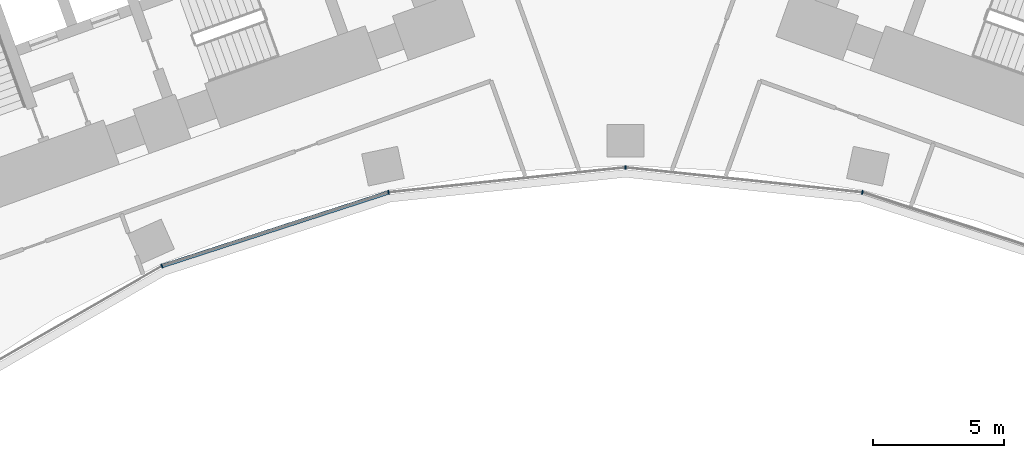
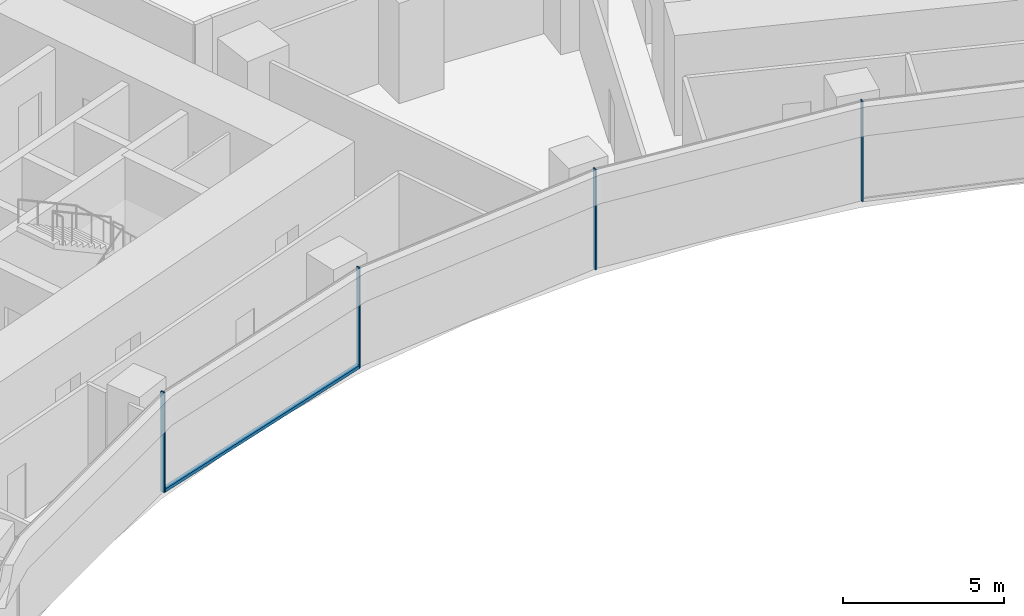
# One storey, part 5 of 21: 5 members, 1 element without a shape of its own.
"""IFC4 building model written with IfcOpenShell, lengths in metres."""

from ifc_helpers import new_model, si_unit, direction, frame, origin, origin_2d, place, context, subcontext, project, spatial, rectangle, extrude, material, layer, layer_set, material_profile, profile_set, type_object, element, aggregate, save


model = new_model("IFC4")

# Units and contexts
model_context = context("Model", 3, precision=1e-05, world=origin(), true_north=direction((0.0, 1.0)))
body_context = subcontext(model_context, "Body", "Model", "MODEL_VIEW")
ifc_project = project(units=[si_unit("LENGTHUNIT", "METRE"), si_unit("AREAUNIT", "SQUARE_METRE"), si_unit("VOLUMEUNIT", "CUBIC_METRE"), si_unit("PLANEANGLEUNIT", "RADIAN"), si_unit("MASSUNIT", "GRAM", prefix="KILO")], contexts=[model_context])

# Site, building, storey
site_placement = place(None, origin())
site = spatial("IfcSite", under=ifc_project, at=site_placement, CompositionType="ELEMENT")
building_placement = place(site_placement, origin())
building = spatial("IfcBuilding", under=site, at=building_placement, Name="Stone Belt Terrace Tower", CompositionType="ELEMENT")
storey_placement = place(building_placement, frame((0.0, 0.0, 68.0)))
storey = spatial("IfcBuildingStorey", under=building, at=storey_placement, Name="L16", CompositionType="ELEMENT", Elevation=68.0)

# Curtain wall, members
ifc_material = material(Name="Aluminium 6063-T6 anodised frame", Category="aluminium")
ifc_layer = layer(ifc_material, 0.14990234375)
ifc_layer_set = layer_set([ifc_layer], Name="CW-B unitised concave-face curtain wall")
curtain_wall_type = type_object("IfcCurtainWallType", Name="CW-B unitised concave-face curtain wall", PredefinedType="NOTDEFINED", material=ifc_layer_set)
curtain_wall_placement = place(storey_placement, origin())
curtain_wall = element("IfcCurtainWall", 1, at=curtain_wall_placement, inside=storey, type_object=curtain_wall_type, Name="CW-B concave face L16", PredefinedType="NOTDEFINED")
ifc_material_profile_1 = material_profile(ifc_material, rectangle(XDim=0.14990234375, YDim=0.050048828125, at=origin_2d()), Name="Aluminium 6063-T6 50x150")
ifc_profile_set_1 = profile_set([ifc_material_profile_1], Name="Aluminium 6063-T6 anodised frame")
member_type_1 = type_object("IfcMemberType", Name="CW-B mullion 50 x 150", PredefinedType="MULLION", material=ifc_profile_set_1)
member_1_placement = place(storey_placement, frame((-17.662353515625, 39.67041015625, 0.0), z_axis=(0.0, 0.0, 1.0), x_axis=(-0.406736643076, 0.913545457643, 0.0)))
member_1 = element("IfcMember", 2, at=member_1_placement, type_object=member_type_1, Name="CW-B mullion 4", PredefinedType="MULLION", context=body_context, shape_type="SweptSolid", body=[
    extrude(rectangle(XDim=0.14990234375, YDim=0.050048828125, at=origin_2d()), origin(), (0.0, 0.0, 1.0), 3.800048828125),
])
member_2_placement = place(storey_placement, frame((-9.028564453125, 42.4755859375, 0.0), z_axis=(0.0, 0.0, 1.0), x_axis=(-0.207911690818, 0.978147600734, 0.0)))
member_2 = element("IfcMember", 3, at=member_2_placement, type_object=member_type_1, Name="CW-B mullion 5", PredefinedType="MULLION", context=body_context, shape_type="SweptSolid", body=[
    extrude(rectangle(XDim=0.14990234375, YDim=0.050048828125, at=origin_2d()), origin(), (0.0, 0.0, 1.0), 3.800048828125),
])
member_3_placement = place(storey_placement, frame((0.0, 43.424560546875, 0.0), z_axis=(0.0, 0.0, 1.0), x_axis=(0.0, 1.0, 0.0)))
member_3 = element("IfcMember", 4, at=member_3_placement, type_object=member_type_1, Name="CW-B mullion 6", PredefinedType="MULLION", context=body_context, shape_type="SweptSolid", body=[
    extrude(rectangle(XDim=0.14990234375, YDim=0.050048828125, at=origin_2d()), origin(), (0.0, 0.0, 1.0), 3.800048828125),
])
member_4_placement = place(storey_placement, frame((9.028564453125, 42.4755859375, 0.0), z_axis=(0.0, 0.0, 1.0), x_axis=(0.207911690818, 0.978147600734, 0.0)))
member_4 = element("IfcMember", 5, at=member_4_placement, type_object=member_type_1, Name="CW-B mullion 7", PredefinedType="MULLION", context=body_context, shape_type="SweptSolid", body=[
    extrude(rectangle(XDim=0.14990234375, YDim=0.050048828125, at=origin_2d()), origin(), (0.0, 0.0, 1.0), 3.800048828125),
])
ifc_material_profile_2 = material_profile(ifc_material, rectangle(XDim=0.14990234375, YDim=0.1201171875, at=origin_2d()), Name="Aluminium 6063-T6 150x120")
ifc_profile_set_2 = profile_set([ifc_material_profile_2], Name="Aluminium 6063-T6 anodised frame")
member_type_2 = type_object("IfcMemberType", Name="CW-B transom 120 x 150", PredefinedType="USERDEFINED", material=ifc_profile_set_2)
member_5_placement = place(storey_placement, frame((-17.63134765625, 39.680419921875, 0.06005859375), z_axis=(0.951055963285, 0.309018696359, 0.0), x_axis=(-0.309018696359, 0.951055963285, 0.0)))
member_5 = element("IfcMember", 6, at=member_5_placement, type_object=member_type_2, Name="CW-B transom 4.1", ObjectType="TRANSOM", PredefinedType="USERDEFINED", context=body_context, shape_type="SweptSolid", body=[
    extrude(rectangle(XDim=0.14990234375, YDim=0.1201171875, at=origin_2d()), origin(), (0.0, 0.0, 1.0), 9.012939453125),
])
aggregate(curtain_wall, [member_1, member_2, member_3, member_4, member_5])

save(model, "model.ifc")
